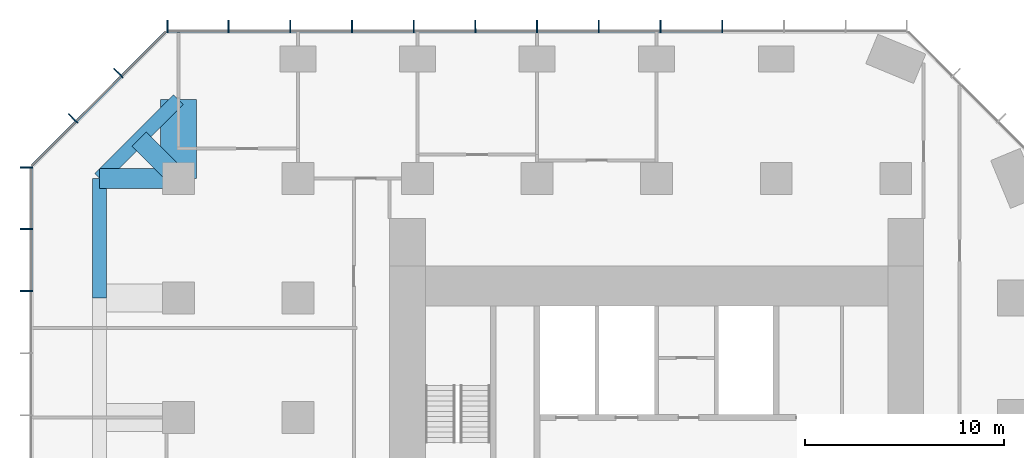
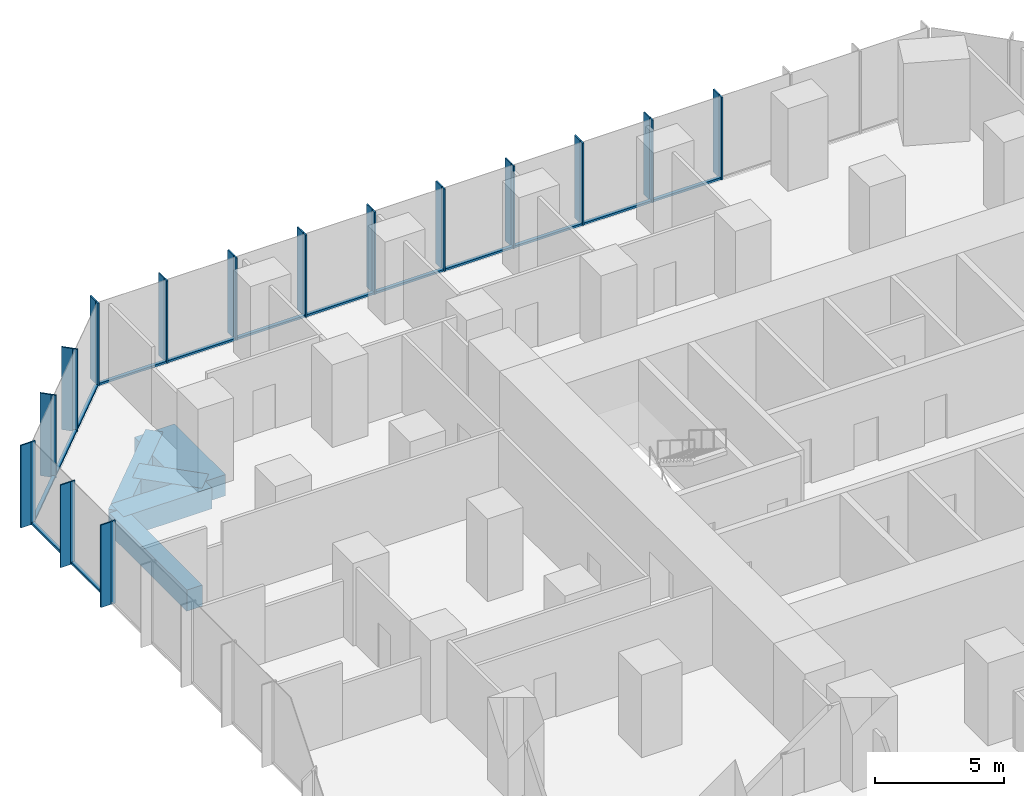
# One storey, part 5 of 11: 44 members, 5 beams, 3 elements without a shape of their own.
"""IFC4 building model written with IfcOpenShell, lengths in metres."""

from ifc_helpers import new_model, si_unit, direction, frame, origin, origin_2d, place, context, subcontext, project, spatial, rectangle, extrude, material, layer, layer_set, material_profile, profile_set, type_object, element, aggregate, save


model = new_model("IFC4")

# Units and contexts
model_context = context("Model", 3, precision=1e-05, world=origin(), true_north=direction((0.0, 1.0)))
body_context = subcontext(model_context, "Body", "Model", "MODEL_VIEW")
ifc_project = project(units=[si_unit("LENGTHUNIT", "METRE"), si_unit("AREAUNIT", "SQUARE_METRE"), si_unit("VOLUMEUNIT", "CUBIC_METRE"), si_unit("PLANEANGLEUNIT", "RADIAN"), si_unit("MASSUNIT", "GRAM", prefix="KILO")], contexts=[model_context])

# Site, building, storey
site_placement = place(None, origin())
site = spatial("IfcSite", under=ifc_project, at=site_placement, CompositionType="ELEMENT")
building_placement = place(site_placement, origin())
building = spatial("IfcBuilding", under=site, at=building_placement, Name="Highveld Stack Headquarters", CompositionType="ELEMENT")
storey_placement = place(building_placement, frame((0.0, 0.0, 128.89990234375)))
storey = spatial("IfcBuildingStorey", under=building, at=storey_placement, Name="L31", CompositionType="ELEMENT", Elevation=128.89990234375)

# Beams
ifc_material_1 = material(Name="Concrete C60/75", Category="concrete")
ifc_material_profile_1 = material_profile(ifc_material_1, rectangle(XDim=1.0, YDim=1.0, at=origin_2d()), Name="RC 1000x1000")
ifc_profile_set_1 = profile_set([ifc_material_profile_1], Name="Concrete C60/75")
beam_type_1 = type_object("IfcBeamType", Name="CANTILEVER RIB RC 1000x1000", PredefinedType="USERDEFINED", material=ifc_profile_set_1)
beam_1_placement = place(storey_placement, frame((-18.0, 18.0, -0.75), z_axis=(-1.0, 0.0, 0.0), x_axis=(0.0, -1.0, 0.0)))
element("IfcBeam", 1, at=beam_1_placement, inside=storey, type_object=beam_type_1, Name="Cantilever rib 3/H L31", ObjectType="CANTILEVER RIB", PredefinedType="USERDEFINED", context=body_context, shape_type="SweptSolid", body=[
    extrude(rectangle(XDim=1.0, YDim=1.0, at=origin_2d()), origin(), (0.0, 0.0, 1.0), 3.949951171875),
])
beam_2_placement = place(storey_placement, frame((-18.0, 18.0, -0.75), z_axis=(-0.707106781187, 0.707106781187, 0.0), x_axis=(-0.707106781187, -0.707106781187, 0.0)))
element("IfcBeam", 2, at=beam_2_placement, inside=storey, type_object=beam_type_1, Name="Cantilever rib 3/H L31", ObjectType="CANTILEVER RIB", PredefinedType="USERDEFINED", context=body_context, shape_type="SweptSolid", body=[
    extrude(rectangle(XDim=1.0, YDim=1.0, at=origin_2d()), origin(), (0.0, 0.0, 1.0), 2.793212890625),
])
ifc_material_2 = material(Name="Concrete C60/75", Category="concrete")
ifc_material_profile_2 = material_profile(ifc_material_2, rectangle(XDim=1.800048828125, YDim=1.0, at=origin_2d()), Name="RC 1800x1000")
ifc_profile_set_2 = profile_set([ifc_material_profile_2], Name="Concrete C60/75")
beam_type_2 = type_object("IfcBeamType", Name="CANTILEVER RIB RC 1800x1000", PredefinedType="USERDEFINED", material=ifc_profile_set_2)
beam_3_placement = place(storey_placement, frame((-18.0, 18.0, -0.75), z_axis=(0.0, 1.0, 0.0), x_axis=(-1.0, 0.0, 0.0)))
element("IfcBeam", 3, at=beam_3_placement, inside=storey, type_object=beam_type_2, Name="Cantilever rib 3/H L31", ObjectType="CANTILEVER RIB", PredefinedType="USERDEFINED", context=body_context, shape_type="SweptSolid", body=[
    extrude(rectangle(XDim=1.800048828125, YDim=1.0, at=origin_2d()), origin(), (0.0, 0.0, 1.0), 3.949951171875),
])

# Curtain wall, members
ifc_material_3 = material(Name="Aluminium bronze anodised", Category="aluminium")
ifc_layer_1 = layer(ifc_material_3, 0.199951171875)
ifc_layer_set_1 = layer_set([ifc_layer_1], Name="Aluminium bronze anodised")
curtain_wall_type_1 = type_object("IfcCurtainWallType", Name="CW1 TOWER UNITISED CURTAIN WALL", PredefinedType="NOTDEFINED", material=ifc_layer_set_1)
curtain_wall_1_placement = place(storey_placement, origin())
curtain_wall_1 = element("IfcCurtainWall", 4, at=curtain_wall_1_placement, inside=storey, type_object=curtain_wall_type_1, Name="Curtain wall CW1 L31 N", PredefinedType="NOTDEFINED")
ifc_material_4 = material(Name="Aluminium bronze anodised", Category="aluminium")
ifc_material_profile_3 = material_profile(ifc_material_4, rectangle(XDim=0.449951171875, YDim=0.06005859375, at=origin_2d()), Name="FIN 450x60")
ifc_profile_set_3 = profile_set([ifc_material_profile_3], Name="Aluminium bronze anodised")
member_type_1 = type_object("IfcMemberType", Name="CW1 BRONZE FIN 450x60", PredefinedType="USERDEFINED", material=ifc_profile_set_3)
member_1_placement = place(storey_placement, frame((9.289794921875, 25.72509765625, 0.0), z_axis=(0.0, 0.0, 1.0), x_axis=(0.0, -1.0, 0.0)))
member_1 = element("IfcMember", 5, at=member_1_placement, type_object=member_type_1, Name="CW1 fin L31 4", ObjectType="FIN", PredefinedType="USERDEFINED", context=body_context, shape_type="SweptSolid", body=[
    extrude(rectangle(XDim=0.449951171875, YDim=0.06005859375, at=origin_2d()), origin(), (0.0, 0.0, 1.0), 3.900146484375),
])
member_2_placement = place(storey_placement, frame((6.193359375, 25.72509765625, 0.0), z_axis=(0.0, 0.0, 1.0), x_axis=(0.0, -1.0, 0.0)))
member_2 = element("IfcMember", 6, at=member_2_placement, type_object=member_type_1, Name="CW1 fin L31 5", ObjectType="FIN", PredefinedType="USERDEFINED", context=body_context, shape_type="SweptSolid", body=[
    extrude(rectangle(XDim=0.449951171875, YDim=0.06005859375, at=origin_2d()), origin(), (0.0, 0.0, 1.0), 3.900146484375),
])
member_3_placement = place(storey_placement, frame((3.0966796875, 25.72509765625, 0.0), z_axis=(0.0, 0.0, 1.0), x_axis=(0.0, -1.0, 0.0)))
member_3 = element("IfcMember", 7, at=member_3_placement, type_object=member_type_1, Name="CW1 fin L31 6", ObjectType="FIN", PredefinedType="USERDEFINED", context=body_context, shape_type="SweptSolid", body=[
    extrude(rectangle(XDim=0.449951171875, YDim=0.06005859375, at=origin_2d()), origin(), (0.0, 0.0, 1.0), 3.900146484375),
])
member_4_placement = place(storey_placement, frame((0.0, 25.72509765625, 0.0), z_axis=(0.0, 0.0, 1.0), x_axis=(0.0, -1.0, 0.0)))
member_4 = element("IfcMember", 8, at=member_4_placement, type_object=member_type_1, Name="CW1 fin L31 7", ObjectType="FIN", PredefinedType="USERDEFINED", context=body_context, shape_type="SweptSolid", body=[
    extrude(rectangle(XDim=0.449951171875, YDim=0.06005859375, at=origin_2d()), origin(), (0.0, 0.0, 1.0), 3.900146484375),
])
member_5_placement = place(storey_placement, frame((-3.0966796875, 25.72509765625, 0.0), z_axis=(0.0, 0.0, 1.0), x_axis=(0.0, -1.0, 0.0)))
member_5 = element("IfcMember", 9, at=member_5_placement, type_object=member_type_1, Name="CW1 fin L31 8", ObjectType="FIN", PredefinedType="USERDEFINED", context=body_context, shape_type="SweptSolid", body=[
    extrude(rectangle(XDim=0.449951171875, YDim=0.06005859375, at=origin_2d()), origin(), (0.0, 0.0, 1.0), 3.900146484375),
])
member_6_placement = place(storey_placement, frame((-6.193359375, 25.72509765625, 0.0), z_axis=(0.0, 0.0, 1.0), x_axis=(0.0, -1.0, 0.0)))
member_6 = element("IfcMember", 10, at=member_6_placement, type_object=member_type_1, Name="CW1 fin L31 9", ObjectType="FIN", PredefinedType="USERDEFINED", context=body_context, shape_type="SweptSolid", body=[
    extrude(rectangle(XDim=0.449951171875, YDim=0.06005859375, at=origin_2d()), origin(), (0.0, 0.0, 1.0), 3.900146484375),
])
member_7_placement = place(storey_placement, frame((-9.2900390625, 25.72509765625, 0.0), z_axis=(0.0, 0.0, 1.0), x_axis=(0.0, -1.0, 0.0)))
member_7 = element("IfcMember", 11, at=member_7_placement, type_object=member_type_1, Name="CW1 fin L31 10", ObjectType="FIN", PredefinedType="USERDEFINED", context=body_context, shape_type="SweptSolid", body=[
    extrude(rectangle(XDim=0.449951171875, YDim=0.06005859375, at=origin_2d()), origin(), (0.0, 0.0, 1.0), 3.900146484375),
])
member_8_placement = place(storey_placement, frame((-12.38671875, 25.72509765625, 0.0), z_axis=(0.0, 0.0, 1.0), x_axis=(0.0, -1.0, 0.0)))
member_8 = element("IfcMember", 12, at=member_8_placement, type_object=member_type_1, Name="CW1 fin L31 11", ObjectType="FIN", PredefinedType="USERDEFINED", context=body_context, shape_type="SweptSolid", body=[
    extrude(rectangle(XDim=0.449951171875, YDim=0.06005859375, at=origin_2d()), origin(), (0.0, 0.0, 1.0), 3.900146484375),
])
member_9_placement = place(storey_placement, frame((-15.4833984375, 25.72509765625, 0.0), z_axis=(0.0, 0.0, 1.0), x_axis=(0.0, -1.0, 0.0)))
member_9 = element("IfcMember", 13, at=member_9_placement, type_object=member_type_1, Name="CW1 fin L31 12", ObjectType="FIN", PredefinedType="USERDEFINED", context=body_context, shape_type="SweptSolid", body=[
    extrude(rectangle(XDim=0.449951171875, YDim=0.06005859375, at=origin_2d()), origin(), (0.0, 0.0, 1.0), 3.900146484375),
])
member_10_placement = place(storey_placement, frame((-18.54736328125, 25.72509765625, 0.0), z_axis=(0.0, 0.0, 1.0), x_axis=(0.0, -1.0, 0.0)))
member_10 = element("IfcMember", 14, at=member_10_placement, type_object=member_type_1, Name="CW1 fin L31 13", ObjectType="FIN", PredefinedType="USERDEFINED", context=body_context, shape_type="SweptSolid", body=[
    extrude(rectangle(XDim=0.449951171875, YDim=0.06005859375, at=origin_2d()), origin(), (0.0, 0.0, 1.0), 3.900146484375),
])

curtain_wall_2_placement = place(storey_placement, origin())
curtain_wall_2 = element("IfcCurtainWall", 15, at=curtain_wall_2_placement, inside=storey, type_object=curtain_wall_type_1, Name="Curtain wall CW1 L31 W", PredefinedType="NOTDEFINED")
member_11_placement = place(storey_placement, frame((-25.72509765625, 18.54736328125, 0.0), z_axis=(0.0, 0.0, 1.0), x_axis=(1.0, 0.0, 0.0)))
member_11 = element("IfcMember", 16, at=member_11_placement, type_object=member_type_1, Name="CW1 fin L31 1", ObjectType="FIN", PredefinedType="USERDEFINED", context=body_context, shape_type="SweptSolid", body=[
    extrude(rectangle(XDim=0.449951171875, YDim=0.06005859375, at=origin_2d()), origin(), (0.0, 0.0, 1.0), 3.900146484375),
])
member_12_placement = place(storey_placement, frame((-25.72509765625, 15.4638671875, 0.0), z_axis=(0.0, 0.0, 1.0), x_axis=(1.0, 0.0, 0.0)))
member_12 = element("IfcMember", 17, at=member_12_placement, type_object=member_type_1, Name="CW1 fin L31 2", ObjectType="FIN", PredefinedType="USERDEFINED", context=body_context, shape_type="SweptSolid", body=[
    extrude(rectangle(XDim=0.449951171875, YDim=0.06005859375, at=origin_2d()), origin(), (0.0, 0.0, 1.0), 3.900146484375),
])
member_13_placement = place(storey_placement, frame((-25.72509765625, 12.347900390625, 0.0), z_axis=(0.0, 0.0, 1.0), x_axis=(1.0, 0.0, 0.0)))
member_13 = element("IfcMember", 18, at=member_13_placement, type_object=member_type_1, Name="CW1 fin L31 3", ObjectType="FIN", PredefinedType="USERDEFINED", context=body_context, shape_type="SweptSolid", body=[
    extrude(rectangle(XDim=0.449951171875, YDim=0.06005859375, at=origin_2d()), origin(), (0.0, 0.0, 1.0), 3.900146484375),
])

# Member
ifc_material_5 = material(Name="Aluminium bronze anodised", Category="aluminium")
ifc_material_profile_4 = material_profile(ifc_material_5, rectangle(XDim=0.199951171875, YDim=0.06494140625, at=origin_2d()), Name="CW1 MULLION 65x200")
ifc_profile_set_4 = profile_set([ifc_material_profile_4], Name="Aluminium bronze anodised")
member_type_2 = type_object("IfcMemberType", Name="CW1 MULLION 65x200", PredefinedType="MULLION", material=ifc_profile_set_4)
member_14_placement = place(storey_placement, frame((9.289794921875, 25.39990234375, 0.0), z_axis=(0.0, 0.0, 1.0), x_axis=(0.0, -1.0, 0.0)))
member_14 = element("IfcMember", 19, at=member_14_placement, type_object=member_type_2, Name="CW1 mullion L31 4", PredefinedType="MULLION", context=body_context, shape_type="SweptSolid", body=[
    extrude(rectangle(XDim=0.199951171875, YDim=0.06494140625, at=origin_2d()), origin(), (0.0, 0.0, 1.0), 3.900146484375),
])

member_15_placement = place(storey_placement, frame((6.193359375, 25.39990234375, 0.0), z_axis=(0.0, 0.0, 1.0), x_axis=(0.0, -1.0, 0.0)))
member_15 = element("IfcMember", 20, at=member_15_placement, type_object=member_type_2, Name="CW1 mullion L31 5", PredefinedType="MULLION", context=body_context, shape_type="SweptSolid", body=[
    extrude(rectangle(XDim=0.199951171875, YDim=0.06494140625, at=origin_2d()), origin(), (0.0, 0.0, 1.0), 3.900146484375),
])

member_16_placement = place(storey_placement, frame((3.0966796875, 25.39990234375, 0.0), z_axis=(0.0, 0.0, 1.0), x_axis=(0.0, -1.0, 0.0)))
member_16 = element("IfcMember", 21, at=member_16_placement, type_object=member_type_2, Name="CW1 mullion L31 6", PredefinedType="MULLION", context=body_context, shape_type="SweptSolid", body=[
    extrude(rectangle(XDim=0.199951171875, YDim=0.06494140625, at=origin_2d()), origin(), (0.0, 0.0, 1.0), 3.900146484375),
])

member_17_placement = place(storey_placement, frame((0.0, 25.39990234375, 0.0), z_axis=(0.0, 0.0, 1.0), x_axis=(0.0, -1.0, 0.0)))
member_17 = element("IfcMember", 22, at=member_17_placement, type_object=member_type_2, Name="CW1 mullion L31 7", PredefinedType="MULLION", context=body_context, shape_type="SweptSolid", body=[
    extrude(rectangle(XDim=0.199951171875, YDim=0.06494140625, at=origin_2d()), origin(), (0.0, 0.0, 1.0), 3.900146484375),
])

member_18_placement = place(storey_placement, frame((-3.0966796875, 25.39990234375, 0.0), z_axis=(0.0, 0.0, 1.0), x_axis=(0.0, -1.0, 0.0)))
member_18 = element("IfcMember", 23, at=member_18_placement, type_object=member_type_2, Name="CW1 mullion L31 8", PredefinedType="MULLION", context=body_context, shape_type="SweptSolid", body=[
    extrude(rectangle(XDim=0.199951171875, YDim=0.06494140625, at=origin_2d()), origin(), (0.0, 0.0, 1.0), 3.900146484375),
])

member_19_placement = place(storey_placement, frame((-6.193359375, 25.39990234375, 0.0), z_axis=(0.0, 0.0, 1.0), x_axis=(0.0, -1.0, 0.0)))
member_19 = element("IfcMember", 24, at=member_19_placement, type_object=member_type_2, Name="CW1 mullion L31 9", PredefinedType="MULLION", context=body_context, shape_type="SweptSolid", body=[
    extrude(rectangle(XDim=0.199951171875, YDim=0.06494140625, at=origin_2d()), origin(), (0.0, 0.0, 1.0), 3.900146484375),
])

member_20_placement = place(storey_placement, frame((-9.2900390625, 25.39990234375, 0.0), z_axis=(0.0, 0.0, 1.0), x_axis=(0.0, -1.0, 0.0)))
member_20 = element("IfcMember", 25, at=member_20_placement, type_object=member_type_2, Name="CW1 mullion L31 10", PredefinedType="MULLION", context=body_context, shape_type="SweptSolid", body=[
    extrude(rectangle(XDim=0.199951171875, YDim=0.06494140625, at=origin_2d()), origin(), (0.0, 0.0, 1.0), 3.900146484375),
])

member_21_placement = place(storey_placement, frame((-12.38671875, 25.39990234375, 0.0), z_axis=(0.0, 0.0, 1.0), x_axis=(0.0, -1.0, 0.0)))
member_21 = element("IfcMember", 26, at=member_21_placement, type_object=member_type_2, Name="CW1 mullion L31 11", PredefinedType="MULLION", context=body_context, shape_type="SweptSolid", body=[
    extrude(rectangle(XDim=0.199951171875, YDim=0.06494140625, at=origin_2d()), origin(), (0.0, 0.0, 1.0), 3.900146484375),
])

member_22_placement = place(storey_placement, frame((-15.4833984375, 25.39990234375, 0.0), z_axis=(0.0, 0.0, 1.0), x_axis=(0.0, -1.0, 0.0)))
member_22 = element("IfcMember", 27, at=member_22_placement, type_object=member_type_2, Name="CW1 mullion L31 12", PredefinedType="MULLION", context=body_context, shape_type="SweptSolid", body=[
    extrude(rectangle(XDim=0.199951171875, YDim=0.06494140625, at=origin_2d()), origin(), (0.0, 0.0, 1.0), 3.900146484375),
])

member_23_placement = place(storey_placement, frame((-18.54736328125, 25.39990234375, 0.0), z_axis=(0.0, 0.0, 1.0), x_axis=(0.0, -1.0, 0.0)))
member_23 = element("IfcMember", 28, at=member_23_placement, type_object=member_type_2, Name="CW1 mullion L31 13", PredefinedType="MULLION", context=body_context, shape_type="SweptSolid", body=[
    extrude(rectangle(XDim=0.199951171875, YDim=0.06494140625, at=origin_2d()), origin(), (0.0, 0.0, 1.0), 3.900146484375),
])

member_24_placement = place(storey_placement, frame((-25.39990234375, 18.54736328125, 0.0), z_axis=(0.0, 0.0, 1.0), x_axis=(1.0, 0.0, 0.0)))
member_24 = element("IfcMember", 29, at=member_24_placement, type_object=member_type_2, Name="CW1 mullion L31 1", PredefinedType="MULLION", context=body_context, shape_type="SweptSolid", body=[
    extrude(rectangle(XDim=0.199951171875, YDim=0.06494140625, at=origin_2d()), origin(), (0.0, 0.0, 1.0), 3.900146484375),
])

member_25_placement = place(storey_placement, frame((-25.39990234375, 15.4638671875, 0.0), z_axis=(0.0, 0.0, 1.0), x_axis=(1.0, 0.0, 0.0)))
member_25 = element("IfcMember", 30, at=member_25_placement, type_object=member_type_2, Name="CW1 mullion L31 2", PredefinedType="MULLION", context=body_context, shape_type="SweptSolid", body=[
    extrude(rectangle(XDim=0.199951171875, YDim=0.06494140625, at=origin_2d()), origin(), (0.0, 0.0, 1.0), 3.900146484375),
])

member_26_placement = place(storey_placement, frame((-25.39990234375, 12.347900390625, 0.0), z_axis=(0.0, 0.0, 1.0), x_axis=(1.0, 0.0, 0.0)))
member_26 = element("IfcMember", 31, at=member_26_placement, type_object=member_type_2, Name="CW1 mullion L31 3", PredefinedType="MULLION", context=body_context, shape_type="SweptSolid", body=[
    extrude(rectangle(XDim=0.199951171875, YDim=0.06494140625, at=origin_2d()), origin(), (0.0, 0.0, 1.0), 3.900146484375),
])

ifc_material_6 = material(Name="Aluminium bronze anodised", Category="aluminium")
ifc_material_profile_5 = material_profile(ifc_material_6, rectangle(XDim=0.14990234375, YDim=0.10009765625, at=origin_2d()), Name="CW1 TRANSOM 150x100")
ifc_profile_set_5 = profile_set([ifc_material_profile_5], Name="Aluminium bronze anodised")
member_type_3 = type_object("IfcMemberType", Name="CW1 STACK TRANSOM 150x100", PredefinedType="USERDEFINED", material=ifc_profile_set_5)
member_27_placement = place(storey_placement, frame((9.25732421875, 25.39990234375, 0.050048828125), z_axis=(-1.0, 0.0, 0.0), x_axis=(0.0, -1.0, 0.0)))
member_27 = element("IfcMember", 32, at=member_27_placement, type_object=member_type_3, Name="CW1 transom L31 4.1", ObjectType="TRANSOM", PredefinedType="USERDEFINED", context=body_context, shape_type="SweptSolid", body=[
    extrude(rectangle(XDim=0.14990234375, YDim=0.10009765625, at=origin_2d()), origin(), (0.0, 0.0, 1.0), 3.031494140625),
])

member_28_placement = place(storey_placement, frame((6.160888671875, 25.39990234375, 0.050048828125), z_axis=(-1.0, 0.0, 0.0), x_axis=(0.0, -1.0, 0.0)))
member_28 = element("IfcMember", 33, at=member_28_placement, type_object=member_type_3, Name="CW1 transom L31 5.1", ObjectType="TRANSOM", PredefinedType="USERDEFINED", context=body_context, shape_type="SweptSolid", body=[
    extrude(rectangle(XDim=0.14990234375, YDim=0.10009765625, at=origin_2d()), origin(), (0.0, 0.0, 1.0), 3.03173828125),
])

member_29_placement = place(storey_placement, frame((3.064208984375, 25.39990234375, 0.050048828125), z_axis=(-1.0, 0.0, 0.0), x_axis=(0.0, -1.0, 0.0)))
member_29 = element("IfcMember", 34, at=member_29_placement, type_object=member_type_3, Name="CW1 transom L31 6.1", ObjectType="TRANSOM", PredefinedType="USERDEFINED", context=body_context, shape_type="SweptSolid", body=[
    extrude(rectangle(XDim=0.14990234375, YDim=0.10009765625, at=origin_2d()), origin(), (0.0, 0.0, 1.0), 3.03173828125),
])

member_30_placement = place(storey_placement, frame((-0.032470703125, 25.39990234375, 0.050048828125), z_axis=(-1.0, 0.0, 0.0), x_axis=(0.0, -1.0, 0.0)))
member_30 = element("IfcMember", 35, at=member_30_placement, type_object=member_type_3, Name="CW1 transom L31 7.1", ObjectType="TRANSOM", PredefinedType="USERDEFINED", context=body_context, shape_type="SweptSolid", body=[
    extrude(rectangle(XDim=0.14990234375, YDim=0.10009765625, at=origin_2d()), origin(), (0.0, 0.0, 1.0), 3.03173828125),
])

member_31_placement = place(storey_placement, frame((-3.129150390625, 25.39990234375, 0.050048828125), z_axis=(-1.0, 0.0, 0.0), x_axis=(0.0, -1.0, 0.0)))
member_31 = element("IfcMember", 36, at=member_31_placement, type_object=member_type_3, Name="CW1 transom L31 8.1", ObjectType="TRANSOM", PredefinedType="USERDEFINED", context=body_context, shape_type="SweptSolid", body=[
    extrude(rectangle(XDim=0.14990234375, YDim=0.10009765625, at=origin_2d()), origin(), (0.0, 0.0, 1.0), 3.03173828125),
])

member_32_placement = place(storey_placement, frame((-6.225830078125, 25.39990234375, 0.050048828125), z_axis=(-1.0, 0.0, 0.0), x_axis=(0.0, -1.0, 0.0)))
member_32 = element("IfcMember", 37, at=member_32_placement, type_object=member_type_3, Name="CW1 transom L31 9.1", ObjectType="TRANSOM", PredefinedType="USERDEFINED", context=body_context, shape_type="SweptSolid", body=[
    extrude(rectangle(XDim=0.14990234375, YDim=0.10009765625, at=origin_2d()), origin(), (0.0, 0.0, 1.0), 3.03173828125),
])

member_33_placement = place(storey_placement, frame((-9.322509765625, 25.39990234375, 0.050048828125), z_axis=(-1.0, 0.0, 0.0), x_axis=(0.0, -1.0, 0.0)))
member_33 = element("IfcMember", 38, at=member_33_placement, type_object=member_type_3, Name="CW1 transom L31 10.1", ObjectType="TRANSOM", PredefinedType="USERDEFINED", context=body_context, shape_type="SweptSolid", body=[
    extrude(rectangle(XDim=0.14990234375, YDim=0.10009765625, at=origin_2d()), origin(), (0.0, 0.0, 1.0), 3.031494140625),
])

member_34_placement = place(storey_placement, frame((-12.419189453125, 25.39990234375, 0.050048828125), z_axis=(-1.0, 0.0, 0.0), x_axis=(0.0, -1.0, 0.0)))
member_34 = element("IfcMember", 39, at=member_34_placement, type_object=member_type_3, Name="CW1 transom L31 11.1", ObjectType="TRANSOM", PredefinedType="USERDEFINED", context=body_context, shape_type="SweptSolid", body=[
    extrude(rectangle(XDim=0.14990234375, YDim=0.10009765625, at=origin_2d()), origin(), (0.0, 0.0, 1.0), 3.031494140625),
])

member_35_placement = place(storey_placement, frame((-15.515869140625, 25.39990234375, 0.050048828125), z_axis=(-1.0, 0.0, 0.0), x_axis=(0.0, -1.0, 0.0)))
member_35 = element("IfcMember", 40, at=member_35_placement, type_object=member_type_3, Name="CW1 transom L31 12.1", ObjectType="TRANSOM", PredefinedType="USERDEFINED", context=body_context, shape_type="SweptSolid", body=[
    extrude(rectangle(XDim=0.14990234375, YDim=0.10009765625, at=origin_2d()), origin(), (0.0, 0.0, 1.0), 2.9990234375),
])

aggregate(curtain_wall_1, [member_14, member_1, member_15, member_2, member_16, member_3, member_17, member_4, member_18, member_5, member_19, member_6, member_20, member_7, member_21, member_8, member_22, member_9, member_23, member_10, member_27, member_28, member_29, member_30, member_31, member_32, member_33, member_34, member_35])

member_36_placement = place(storey_placement, frame((-25.39990234375, 18.514892578125, 0.050048828125), z_axis=(0.0, -1.0, 0.0), x_axis=(1.0, 0.0, 0.0)))
member_36 = element("IfcMember", 41, at=member_36_placement, type_object=member_type_3, Name="CW1 transom L31 1.1", ObjectType="TRANSOM", PredefinedType="USERDEFINED", context=body_context, shape_type="SweptSolid", body=[
    extrude(rectangle(XDim=0.14990234375, YDim=0.10009765625, at=origin_2d()), origin(), (0.0, 0.0, 1.0), 3.0185546875),
])

member_37_placement = place(storey_placement, frame((-25.39990234375, 15.431396484375, 0.050048828125), z_axis=(0.0, -1.0, 0.0), x_axis=(1.0, 0.0, 0.0)))
member_37 = element("IfcMember", 42, at=member_37_placement, type_object=member_type_3, Name="CW1 transom L31 2.1", ObjectType="TRANSOM", PredefinedType="USERDEFINED", context=body_context, shape_type="SweptSolid", body=[
    extrude(rectangle(XDim=0.14990234375, YDim=0.10009765625, at=origin_2d()), origin(), (0.0, 0.0, 1.0), 3.051025390625),
])

aggregate(curtain_wall_2, [member_24, member_11, member_25, member_12, member_26, member_13, member_36, member_37])

# Curtain wall, members
ifc_material_7 = material(Name="Aluminium bronze anodised", Category="aluminium")
ifc_layer_2 = layer(ifc_material_7, 0.199951171875)
ifc_layer_set_2 = layer_set([ifc_layer_2], Name="Aluminium bronze anodised")
curtain_wall_type_2 = type_object("IfcCurtainWallType", Name="CW2 TOWER CHAMFER UNITISED CURTAIN WALL", PredefinedType="NOTDEFINED", material=ifc_layer_set_2)
curtain_wall_3_placement = place(storey_placement, origin())
curtain_wall_3 = element("IfcCurtainWall", 43, at=curtain_wall_3_placement, inside=storey, type_object=curtain_wall_type_2, Name="Curtain wall CW2 L31 NW", PredefinedType="NOTDEFINED")
ifc_material_8 = material(Name="Aluminium bronze anodised", Category="aluminium")
ifc_material_profile_6 = material_profile(ifc_material_8, rectangle(XDim=0.449951171875, YDim=0.06005859375, at=origin_2d()), Name="FIN 450x60")
ifc_profile_set_6 = profile_set([ifc_material_profile_6], Name="Aluminium bronze anodised")
member_type_4 = type_object("IfcMemberType", Name="CW2 BRONZE FIN 450x60", PredefinedType="USERDEFINED", material=ifc_profile_set_6)
member_38_placement = place(storey_placement, frame((-21.0830078125, 23.3564453125, 0.0), z_axis=(0.0, 0.0, 1.0), x_axis=(0.707106781187, -0.707106781187, 0.0)))
member_38 = element("IfcMember", 44, at=member_38_placement, type_object=member_type_4, Name="CW2 fin L31 1", ObjectType="FIN", PredefinedType="USERDEFINED", context=body_context, shape_type="SweptSolid", body=[
    extrude(rectangle(XDim=0.449951171875, YDim=0.06005859375, at=origin_2d()), origin(), (0.0, 0.0, 1.0), 3.900146484375),
])
member_39_placement = place(storey_placement, frame((-23.3564453125, 21.0830078125, 0.0), z_axis=(0.0, 0.0, 1.0), x_axis=(0.707106781187, -0.707106781187, 0.0)))
member_39 = element("IfcMember", 45, at=member_39_placement, type_object=member_type_4, Name="CW2 fin L31 2", ObjectType="FIN", PredefinedType="USERDEFINED", context=body_context, shape_type="SweptSolid", body=[
    extrude(rectangle(XDim=0.449951171875, YDim=0.06005859375, at=origin_2d()), origin(), (0.0, 0.0, 1.0), 3.900146484375),
])
ifc_material_9 = material(Name="Aluminium bronze anodised", Category="aluminium")
ifc_material_profile_7 = material_profile(ifc_material_9, rectangle(XDim=0.199951171875, YDim=0.06494140625, at=origin_2d()), Name="CW2 MULLION 65x200")
ifc_profile_set_7 = profile_set([ifc_material_profile_7], Name="Aluminium bronze anodised")
member_type_5 = type_object("IfcMemberType", Name="CW2 MULLION 65x200", PredefinedType="MULLION", material=ifc_profile_set_7)
member_40_placement = place(storey_placement, frame((-20.853271484375, 23.126708984375, 0.0), z_axis=(0.0, 0.0, 1.0), x_axis=(0.707106781187, -0.707106781187, 0.0)))
member_40 = element("IfcMember", 46, at=member_40_placement, type_object=member_type_5, Name="CW2 mullion L31 1", PredefinedType="MULLION", context=body_context, shape_type="SweptSolid", body=[
    extrude(rectangle(XDim=0.199951171875, YDim=0.06494140625, at=origin_2d()), origin(), (0.0, 0.0, 1.0), 3.900146484375),
])
member_41_placement = place(storey_placement, frame((-23.126708984375, 20.853271484375, 0.0), z_axis=(0.0, 0.0, 1.0), x_axis=(0.707106781187, -0.707106781187, 0.0)))
member_41 = element("IfcMember", 47, at=member_41_placement, type_object=member_type_5, Name="CW2 mullion L31 2", PredefinedType="MULLION", context=body_context, shape_type="SweptSolid", body=[
    extrude(rectangle(XDim=0.199951171875, YDim=0.06494140625, at=origin_2d()), origin(), (0.0, 0.0, 1.0), 3.900146484375),
])
ifc_material_10 = material(Name="Aluminium bronze anodised", Category="aluminium")
ifc_material_profile_8 = material_profile(ifc_material_10, rectangle(XDim=0.14990234375, YDim=0.10009765625, at=origin_2d()), Name="CW2 TRANSOM 150x100")
ifc_profile_set_8 = profile_set([ifc_material_profile_8], Name="Aluminium bronze anodised")
member_type_6 = type_object("IfcMemberType", Name="CW2 STACK TRANSOM 150x100", PredefinedType="USERDEFINED", material=ifc_profile_set_8)
member_42_placement = place(storey_placement, frame((-18.650634765625, 25.329345703125, 0.050048828125), z_axis=(-0.707106781187, -0.707106781187, 0.0), x_axis=(0.707106781187, -0.707106781187, 0.0)))
member_42 = element("IfcMember", 48, at=member_42_placement, type_object=member_type_6, Name="CW2 transom L31 1.1", ObjectType="TRANSOM", PredefinedType="USERDEFINED", context=body_context, shape_type="SweptSolid", body=[
    extrude(rectangle(XDim=0.14990234375, YDim=0.10009765625, at=origin_2d()), origin(), (0.0, 0.0, 1.0), 3.08251953125),
])
member_43_placement = place(storey_placement, frame((-20.876220703125, 23.103759765625, 0.050048828125), z_axis=(-0.707106781187, -0.707106781187, 0.0), x_axis=(0.707106781187, -0.707106781187, 0.0)))
member_43 = element("IfcMember", 49, at=member_43_placement, type_object=member_type_6, Name="CW2 transom L31 2.1", ObjectType="TRANSOM", PredefinedType="USERDEFINED", context=body_context, shape_type="SweptSolid", body=[
    extrude(rectangle(XDim=0.14990234375, YDim=0.10009765625, at=origin_2d()), origin(), (0.0, 0.0, 1.0), 3.150146484375),
])
member_44_placement = place(storey_placement, frame((-23.149658203125, 20.830322265625, 0.050048828125), z_axis=(-0.707106781187, -0.707106781187, 0.0), x_axis=(0.707106781187, -0.707106781187, 0.0)))
member_44 = element("IfcMember", 50, at=member_44_placement, type_object=member_type_6, Name="CW2 transom L31 3.1", ObjectType="TRANSOM", PredefinedType="USERDEFINED", context=body_context, shape_type="SweptSolid", body=[
    extrude(rectangle(XDim=0.14990234375, YDim=0.10009765625, at=origin_2d()), origin(), (0.0, 0.0, 1.0), 3.08251953125),
])
aggregate(curtain_wall_3, [member_40, member_38, member_41, member_39, member_42, member_43, member_44])

# Beams
ifc_material_11 = material(Name="Concrete C60/75", Category="concrete")
ifc_material_profile_9 = material_profile(ifc_material_11, rectangle(XDim=0.699951171875, YDim=1.0, at=origin_2d()), Name="RC 700x1000")
ifc_profile_set_9 = profile_set([ifc_material_profile_9], Name="Concrete C60/75")
beam_type_3 = type_object("IfcBeamType", Name="RIB TIP BEAM RC 700x1000", PredefinedType="SPANDREL", material=ifc_profile_set_9)
beam_4_placement = place(storey_placement, frame((-21.949951171875, 12.0, -0.75), z_axis=(0.0, 1.0, 0.0), x_axis=(-1.0, 0.0, 0.0)))
element("IfcBeam", 51, at=beam_4_placement, inside=storey, type_object=beam_type_3, Name="Rib tip beam 3/G to 3/H L31", PredefinedType="SPANDREL", context=body_context, shape_type="SweptSolid", body=[
    extrude(rectangle(XDim=0.699951171875, YDim=1.0, at=origin_2d()), origin(), (0.0, 0.0, 1.0), 6.0),
])
beam_5_placement = place(storey_placement, frame((-21.949951171875, 18.0, -0.75), z_axis=(0.707106781187, 0.707106781187, 0.0), x_axis=(-0.707106781187, 0.707106781187, 0.0)))
element("IfcBeam", 52, at=beam_5_placement, inside=storey, type_object=beam_type_3, Name="Rib tip beam 3/H corner L31", PredefinedType="SPANDREL", context=body_context, shape_type="SweptSolid", body=[
    extrude(rectangle(XDim=0.699951171875, YDim=1.0, at=origin_2d()), origin(), (0.0, 0.0, 1.0), 5.586181640625),
])

save(model, "model.ifc")
